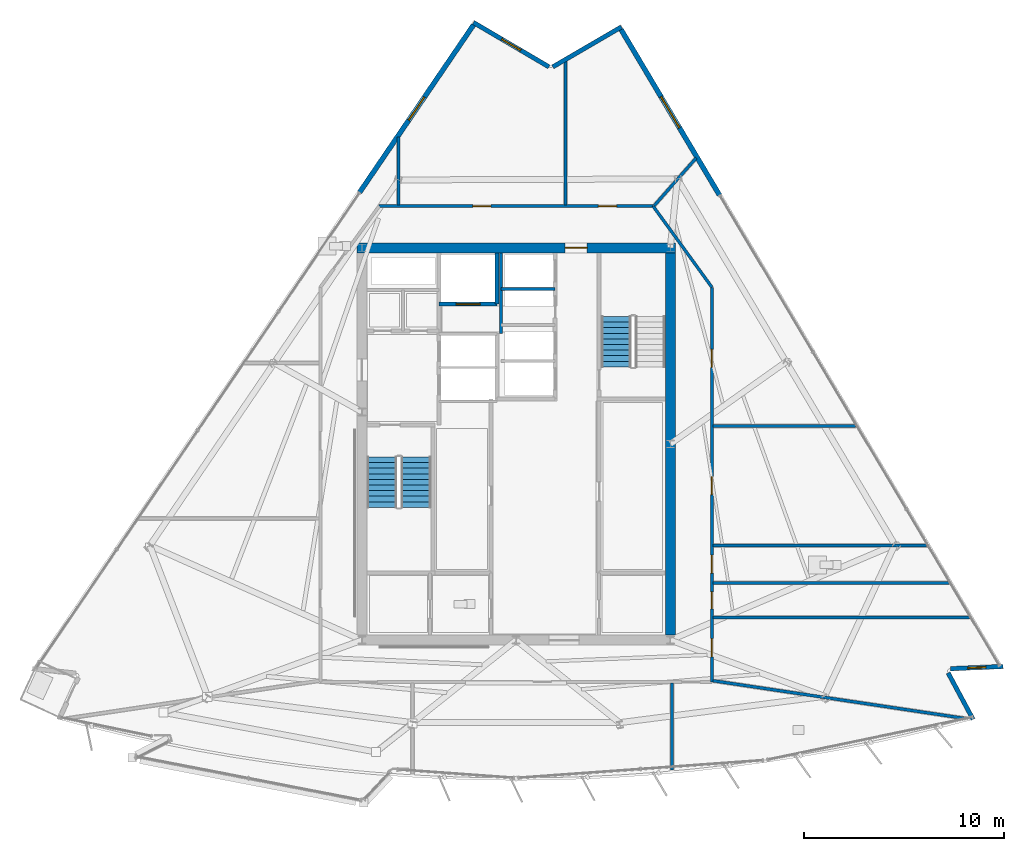
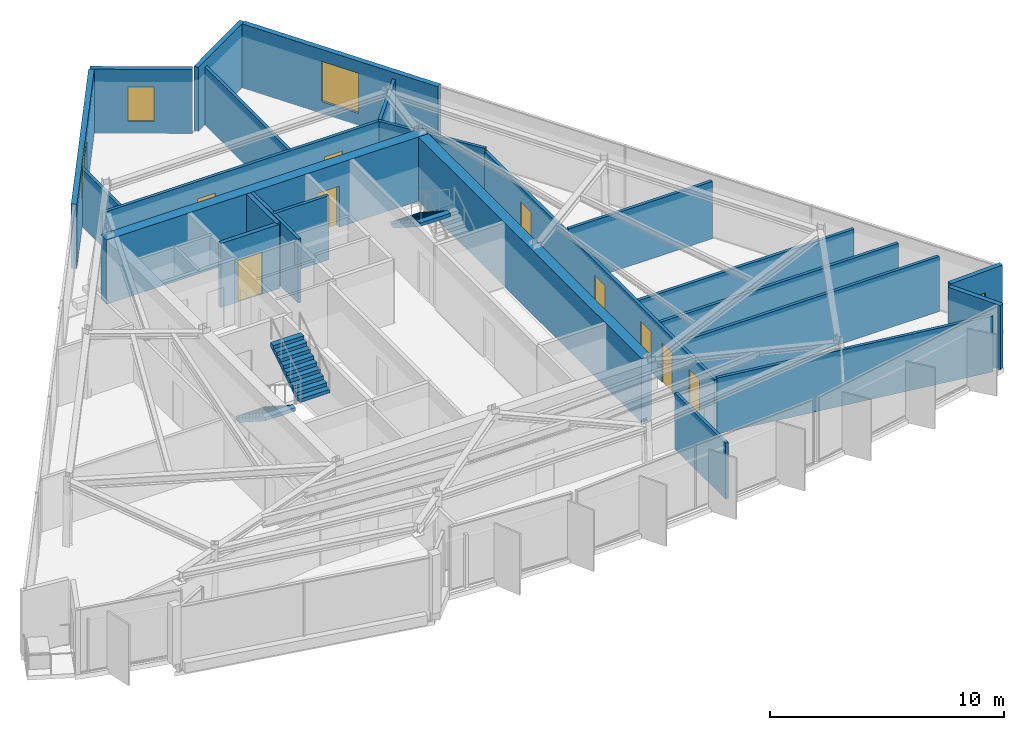
# One storey, part 8 of 13: 24 walls, 9 doors, 4 windows, 3 stair flights, 13 openings, 2 elements without a shape of their own.
"""IFC4 building model written with IfcOpenShell, lengths in metres."""

from ifc_helpers import new_model, si_unit, direction, frame, frame_2d, origin, place, context, subcontext, project, spatial, polyline, rectangle, outline, extrude, material, layer, layer_set, type_object, element, fill, aggregate, save


model = new_model("IFC4")

# Units and contexts
model_context = context("Model", 3, precision=1e-05, world=origin(), true_north=direction((0.0, 1.0)))
body_context = subcontext(model_context, "Body", "Model", "MODEL_VIEW")
ifc_project = project(units=[si_unit("LENGTHUNIT", "METRE"), si_unit("AREAUNIT", "SQUARE_METRE"), si_unit("VOLUMEUNIT", "CUBIC_METRE"), si_unit("PLANEANGLEUNIT", "RADIAN"), si_unit("MASSUNIT", "GRAM", prefix="KILO")], contexts=[model_context])

# Site, building, storey
site_placement = place(None, origin())
site = spatial("IfcSite", under=ifc_project, at=site_placement, CompositionType="ELEMENT")
building_placement = place(site_placement, origin())
building = spatial("IfcBuilding", under=site, at=building_placement, Name="Savorim Split Tower", CompositionType="ELEMENT")
storey_placement = place(building_placement, frame((0.0, 0.0, 272.39990234375)))
storey = spatial("IfcBuildingStorey", under=building, at=storey_placement, Name="L72", CompositionType="ELEMENT", Elevation=272.39990234375)

# Wall, opening, door
ifc_material_1 = material(Name="Concrete C60/75", Category="concrete")
ifc_layer_1 = layer(ifc_material_1, 0.5)
ifc_layer_set_1 = layer_set([ifc_layer_1], Name="WAL-COR-SH500")
wall_type_1 = type_object("IfcWallType", Name="WAL-COR-SH500", PredefinedType="SHEAR", material=ifc_layer_set_1)
wall_1_placement = place(storey_placement, frame((7.949951171875, 10.199951171875, 0.0), z_axis=(0.0, 0.0, 1.0), x_axis=(-1.0, 0.0, 0.0)))
wall_1 = element("IfcWall", 1, at=wall_1_placement, inside=storey, type_object=wall_type_1, Name="L72 Offset Core North Shear Wall", PredefinedType="SHEAR", context=body_context, shape_type="SweptSolid", body=[
    extrude(rectangle(XDim=15.89990234375, YDim=0.5, at=frame_2d((7.949951171875, 0.0))), origin(), (0.0, 0.0, 1.0), 3.35009765625),
])
opening_1_placement = place(wall_1_placement, frame((4.39990234375, 0.0, 0.0)))
opening_1 = element("IfcOpeningElement", 2, at=opening_1_placement, cuts=wall_1, Name="Opening DI-03", PredefinedType="OPENING", context=body_context, shape_type="SweptSolid", body=[
    extrude(rectangle(XDim=1.10009765625, YDim=2.14990234375, at=frame_2d((0.550048828125, 1.074951171875))), frame((0.0, 0.260009765625, 0.0), z_axis=(0.0, -1.0, 0.0), x_axis=(1.0, 0.0, 0.0)), (0.0, 0.0, 1.0), 0.52001953125),
])
ifc_material_2 = material(Name="Timber Fire Door Leaf", Category="wood")
door_type_1 = type_object("IfcDoorType", Name="DOR-FIR-1100", OperationType="NOTDEFINED", PredefinedType="DOOR", material=ifc_material_2)
door_1_placement = place(opening_1_placement, origin())
door_1 = element("IfcDoor", 3, at=door_1_placement, inside=storey, type_object=door_type_1, Name="DOR-L72-COR-NLOB - L72 North Corridor Lobby Fire Door", OperationType="SINGLE_SWING_LEFT", OverallHeight=2.14990234375, OverallWidth=1.10009765625, PredefinedType="DOOR", context=body_context, shape_type="SweptSolid", body=[
    extrude(rectangle(XDim=1.10009765625, YDim=2.14990234375, at=frame_2d((0.550048828125, 1.074951171875))), frame((0.0, 0.02490234375, 0.0), z_axis=(0.0, -1.0, 0.0), x_axis=(1.0, 0.0, 0.0)), (0.0, 0.0, 1.0), 0.050048828125),
])
fill(opening_1, door_1)

# Walls
wall_2_placement = place(storey_placement, frame((7.699951171875, 9.949951171875, 0.0), z_axis=(0.0, 0.0, 1.0), x_axis=(0.0, -1.0, 0.0)))
element("IfcWall", 4, at=wall_2_placement, inside=storey, type_object=wall_type_1, Name="L72 Offset Core East Shear Wall", PredefinedType="SHEAR", context=body_context, shape_type="SweptSolid", body=[
    extrude(rectangle(XDim=19.099853515625, YDim=0.5, at=frame_2d((9.5498046875, 0.0))), origin(), (0.0, 0.0, 1.0), 3.35009765625),
])
ifc_material_3 = material(Name="Precast concrete C40/50", Category="concrete")
ifc_layer_2 = layer(ifc_material_3, 0.219970703125)
ifc_layer_set_2 = layer_set([ifc_layer_2], Name="WAL-EXT-CRN220")
wall_type_2 = type_object("IfcWallType", Name="WAL-EXT-CRN220", PredefinedType="SOLIDWALL", material=ifc_layer_set_2)
wall_3_placement = place(storey_placement, frame((21.58056640625, -11.03955078125, 0.0), z_axis=(0.0, 0.0, 1.0), x_axis=(0.472791303324, -0.881174434208, 0.0)))
element("IfcWall", 5, at=wall_3_placement, inside=storey, type_object=wall_type_2, Name="L72 Notched Corner Facade Wall SE1", PredefinedType="SOLIDWALL", context=body_context, shape_type="SweptSolid", body=[
    extrude(rectangle(XDim=2.626953125, YDim=0.219970703125, at=frame_2d((1.3134765625, 0.0))), origin(), (0.0, 0.0, 1.0), 3.35009765625),
])

# Wall, opening, window
wall_4_placement = place(storey_placement, frame((24.32421875, -10.71435546875, 0.0), z_axis=(0.0, 0.0, 1.0), x_axis=(-0.999095924753, -0.042512740932, 0.0)))
wall_4 = element("IfcWall", 6, at=wall_4_placement, inside=storey, type_object=wall_type_2, Name="L72 Notched Corner Facade Wall SE", PredefinedType="SOLIDWALL", context=body_context, shape_type="SweptSolid", body=[
    extrude(rectangle(XDim=2.62451171875, YDim=0.219970703125, at=frame_2d((1.312255859375, 0.0))), origin(), (0.0, 0.0, 1.0), 3.35009765625),
])
opening_2_placement = place(wall_4_placement, frame((0.8623046875, 0.0, 0.6201171875)))
opening_2 = element("IfcOpeningElement", 7, at=opening_2_placement, cuts=wall_4, Name="Opening WN-10", PredefinedType="OPENING", context=body_context, shape_type="SweptSolid", body=[
    extrude(rectangle(XDim=0.89990234375, YDim=1.60009765625, at=frame_2d((0.449951171875, 0.800048828125))), frame((0.0, 0.119873046875, 0.0), z_axis=(0.0, -1.0, 0.0), x_axis=(1.0, 0.0, 0.0)), (0.0, 0.0, 1.0), 0.239990234375),
])
ifc_material_4 = material(Name="Low-E Operable Double Glazing", Category="glass")
window_type_1 = type_object("IfcWindowType", Name="WIN-TWR-900x1600", PartitioningType="SINGLE_PANEL", PredefinedType="WINDOW", material=ifc_material_4)
window_1_placement = place(opening_2_placement, origin())
window_1 = element("IfcWindow", 8, at=window_1_placement, inside=storey, type_object=window_type_1, Name="L72 Operable Corner Window SE", OverallHeight=1.60009765625, OverallWidth=0.89990234375, PartitioningType="SINGLE_PANEL", PredefinedType="WINDOW", context=body_context, shape_type="SweptSolid", body=[
    extrude(rectangle(XDim=0.89990234375, YDim=1.60009765625, at=frame_2d((0.449951171875, 0.800048828125))), frame((0.0, 0.030029296875, 0.0), z_axis=(0.0, -1.0, 0.0), x_axis=(1.0, 0.0, 0.0)), (0.0, 0.0, 1.0), 0.06005859375),
])
fill(opening_2, window_1)

# Wall
wall_5_placement = place(storey_placement, frame((1.832275390625, 19.233642578125, 0.0), z_axis=(0.0, 0.0, 1.0), x_axis=(0.86397765749, 0.503530145432, 0.0)))
element("IfcWall", 9, at=wall_5_placement, inside=storey, type_object=wall_type_2, Name="L72 Notched Corner Facade Wall NE1", PredefinedType="SOLIDWALL", context=body_context, shape_type="SweptSolid", body=[
    extrude(rectangle(XDim=3.963623046875, YDim=0.219970703125, at=frame_2d((1.98193359375, 0.0))), origin(), (0.0, 0.0, 1.0), 3.35009765625),
])

# Wall, opening, window
wall_6_placement = place(storey_placement, frame((-2.1337890625, 21.453125, 0.0), z_axis=(0.0, 0.0, 1.0), x_axis=(0.862106131527, -0.506727755292, 0.0)))
wall_6 = element("IfcWall", 10, at=wall_6_placement, inside=storey, type_object=wall_type_2, Name="L72 Notched Corner Facade Wall N", PredefinedType="SOLIDWALL", context=body_context, shape_type="SweptSolid", body=[
    extrude(rectangle(XDim=4.379638671875, YDim=0.219970703125, at=frame_2d((2.18994140625, 0.0))), origin(), (0.0, 0.0, 1.0), 3.35009765625),
])
opening_3_placement = place(wall_6_placement, frame((1.639892578125, 0.0, 0.6201171875)))
opening_3 = element("IfcOpeningElement", 11, at=opening_3_placement, cuts=wall_6, Name="Opening WN-09", PredefinedType="OPENING", context=body_context, shape_type="SweptSolid", body=[
    extrude(rectangle(XDim=1.10009765625, YDim=1.800048828125, at=frame_2d((0.550048828125, 0.89990234375))), frame((0.0, 0.119873046875, 0.0), z_axis=(0.0, -1.0, 0.0), x_axis=(1.0, 0.0, 0.0)), (0.0, 0.0, 1.0), 0.239990234375),
])
window_type_2 = type_object("IfcWindowType", Name="WIN-TWR-1100x1800", PartitioningType="SINGLE_PANEL", PredefinedType="WINDOW", material=ifc_material_4)
window_2_placement = place(opening_3_placement, origin())
window_2 = element("IfcWindow", 12, at=window_2_placement, inside=storey, type_object=window_type_2, Name="L72 Operable Corner Window N", OverallHeight=1.800048828125, OverallWidth=1.10009765625, PartitioningType="SINGLE_PANEL", PredefinedType="WINDOW", context=body_context, shape_type="SweptSolid", body=[
    extrude(rectangle(XDim=1.10009765625, YDim=1.800048828125, at=frame_2d((0.550048828125, 0.89990234375))), frame((0.0, 0.030029296875, 0.0), z_axis=(0.0, -1.0, 0.0), x_axis=(1.0, 0.0, 0.0)), (0.0, 0.0, 1.0), 0.06005859375),
])
fill(opening_3, window_2)

ifc_layer_3 = layer(ifc_material_3, 0.25)
ifc_layer_set_3 = layer_set([ifc_layer_3], Name="WAL-EXT-SPN250")
wall_type_3 = type_object("IfcWallType", Name="WAL-EXT-SPN250", PredefinedType="SOLIDWALL", material=ifc_layer_set_3)
wall_7_placement = place(storey_placement, frame((5.240234375, 21.10302734375, 0.0), z_axis=(0.0, 0.0, 1.0), x_axis=(0.511088566076, -0.859528055171, 0.0)))
wall_7 = element("IfcWall", 13, at=wall_7_placement, inside=storey, type_object=wall_type_3, Name="L72 East Operable Window Pier", PredefinedType="SOLIDWALL", context=body_context, shape_type="SweptSolid", body=[
    extrude(rectangle(XDim=9.62158203125, YDim=0.25, at=frame_2d((4.810791015625, 0.0))), origin(), (0.0, 0.0, 1.0), 3.35009765625),
])
opening_4_placement = place(wall_7_placement, frame((3.910888671875, 0.0, 0.6201171875)))
opening_4 = element("IfcOpeningElement", 14, at=opening_4_placement, cuts=wall_7, Name="Opening WN-04", PredefinedType="OPENING", context=body_context, shape_type="SweptSolid", body=[
    extrude(rectangle(XDim=1.800048828125, YDim=2.10009765625, at=frame_2d((0.89990234375, 1.050048828125))), frame((0.0, 0.135009765625, 0.0), z_axis=(0.0, -1.0, 0.0), x_axis=(1.0, 0.0, 0.0)), (0.0, 0.0, 1.0), 0.27001953125),
])
window_type_3 = type_object("IfcWindowType", Name="WIN-TWR-1800x2100", PartitioningType="DOUBLE_PANEL_VERTICAL", PredefinedType="WINDOW", material=ifc_material_4)
window_3_placement = place(opening_4_placement, origin())
window_3 = element("IfcWindow", 15, at=window_3_placement, inside=storey, type_object=window_type_3, Name="L72 East Operable Ventilation Window", OverallHeight=2.10009765625, OverallWidth=1.800048828125, PartitioningType="SINGLE_PANEL", PredefinedType="WINDOW", context=body_context, shape_type="SweptSolid", body=[
    extrude(rectangle(XDim=1.800048828125, YDim=2.10009765625, at=frame_2d((0.89990234375, 1.050048828125))), frame((0.0, 0.030029296875, 0.0), z_axis=(0.0, -1.0, 0.0), x_axis=(1.0, 0.0, 0.0)), (0.0, 0.0, 1.0), 0.06005859375),
])
fill(opening_4, window_3)

wall_8_placement = place(storey_placement, frame((-7.81689453125, 12.970947265625, 0.0), z_axis=(0.0, 0.0, 1.0), x_axis=(0.562474530687, 0.826814611826, 0.0)))
wall_8 = element("IfcWall", 16, at=wall_8_placement, inside=storey, type_object=wall_type_3, Name="L72 West Operable Window Pier", PredefinedType="SOLIDWALL", context=body_context, shape_type="SweptSolid", body=[
    extrude(rectangle(XDim=10.106689453125, YDim=0.25, at=frame_2d((5.05322265625, 0.0))), origin(), (0.0, 0.0, 1.0), 3.35009765625),
])
opening_5_placement = place(wall_8_placement, frame((4.353515625, 0.0, 0.6201171875)))
opening_5 = element("IfcOpeningElement", 17, at=opening_5_placement, cuts=wall_8, Name="Opening WN-07", PredefinedType="OPENING", context=body_context, shape_type="SweptSolid", body=[
    extrude(rectangle(XDim=1.39990234375, YDim=2.0, at=frame_2d((0.699951171875, 1.0))), frame((0.0, 0.135009765625, 0.0), z_axis=(0.0, -1.0, 0.0), x_axis=(1.0, 0.0, 0.0)), (0.0, 0.0, 1.0), 0.27001953125),
])
window_type_4 = type_object("IfcWindowType", Name="WIN-TWR-1400x2000", PartitioningType="SINGLE_PANEL", PredefinedType="WINDOW", material=ifc_material_4)
window_4_placement = place(opening_5_placement, origin())
window_4 = element("IfcWindow", 18, at=window_4_placement, inside=storey, type_object=window_type_4, Name="L72 West Operable Ventilation Window", OverallHeight=2.0, OverallWidth=1.39990234375, PartitioningType="SINGLE_PANEL", PredefinedType="WINDOW", context=body_context, shape_type="SweptSolid", body=[
    extrude(rectangle(XDim=1.39990234375, YDim=2.0, at=frame_2d((0.699951171875, 1.0))), frame((0.0, 0.030029296875, 0.0), z_axis=(0.0, -1.0, 0.0), x_axis=(1.0, 0.0, 0.0)), (0.0, 0.0, 1.0), 0.06005859375),
])
fill(opening_5, window_4)

# Wall, opening, door
ifc_material_5 = material(Name="Concrete C50/60", Category="concrete")
ifc_layer_4 = layer(ifc_material_5, 0.199951171875)
ifc_layer_set_4 = layer_set([ifc_layer_4], Name="WAL-INT-RC200")
wall_type_4 = type_object("IfcWallType", Name="WAL-INT-RC200", PredefinedType="SOLIDWALL", material=ifc_layer_set_4)
wall_9_placement = place(storey_placement, frame((-3.85009765625, 7.3798828125, 0.0), z_axis=(0.0, 0.0, 1.0), x_axis=(1.0, 0.0, 0.0)))
wall_9 = element("IfcWall", 19, at=wall_9_placement, inside=storey, type_object=wall_type_4, Name="L72 Partition W-L72-SVLS", PredefinedType="SOLIDWALL", context=body_context, shape_type="SweptSolid", body=[
    extrude(rectangle(XDim=2.900146484375, YDim=0.199951171875, at=frame_2d((1.4501953125, 0.0))), origin(), (0.0, 0.0, 1.0), 3.35009765625),
])
opening_6_placement = place(wall_9_placement, frame((0.85009765625, 0.0, 0.0)))
opening_6 = element("IfcOpeningElement", 20, at=opening_6_placement, cuts=wall_9, Name="Opening LD-SV", PredefinedType="OPENING", context=body_context, shape_type="SweptSolid", body=[
    extrude(rectangle(XDim=1.199951171875, YDim=2.199951171875, at=frame_2d((0.60009765625, 1.10009765625))), frame((0.0, 0.10986328125, 0.0), z_axis=(0.0, -1.0, 0.0), x_axis=(1.0, 0.0, 0.0)), (0.0, 0.0, 1.0), 0.219970703125),
])
ifc_material_6 = material(Name="Charcoal Anodised Aluminium", Category="aluminium")
door_type_2 = type_object("IfcDoorType", Name="DOR-SLD-SV1200", OperationType="NOTDEFINED", PredefinedType="DOOR", material=ifc_material_6)
door_2_placement = place(opening_6_placement, origin())
door_2 = element("IfcDoor", 21, at=door_2_placement, inside=storey, type_object=door_type_2, Name="DR-L72-LD-SVL1 - L72 Service Lift SVL-1 Sliding Landing Door", OperationType="DOUBLE_DOOR_SLIDING", OverallHeight=2.199951171875, OverallWidth=1.199951171875, PredefinedType="DOOR", context=body_context, shape_type="SweptSolid", body=[
    extrude(rectangle(XDim=1.199951171875, YDim=2.199951171875, at=frame_2d((0.60009765625, 1.10009765625))), frame((0.0, 0.02490234375, 0.0), z_axis=(0.0, -1.0, 0.0), x_axis=(1.0, 0.0, 0.0)), (0.0, 0.0, 1.0), 0.050048828125),
])
fill(opening_6, door_2)

# Walls
wall_10_placement = place(storey_placement, frame((-0.949951171875, 7.3798828125, 0.0), z_axis=(0.0, 0.0, 1.0), x_axis=(0.0, 1.0, 0.0)))
element("IfcWall", 22, at=wall_10_placement, inside=storey, type_object=wall_type_4, Name="L72 Partition W-L72-SVLE", PredefinedType="SOLIDWALL", context=body_context, shape_type="SweptSolid", body=[
    extrude(rectangle(XDim=2.565185546875, YDim=0.199951171875, at=frame_2d((1.28271484375, 0.0))), origin(), (0.0, 0.0, 1.0), 3.35009765625),
])
ifc_material_7 = material(Name="Acoustic Gypsum Partition Board")
ifc_layer_5 = layer(ifc_material_7, 0.14990234375)
ifc_layer_set_5 = layer_set([ifc_layer_5], Name="WAL-PAR-150")
wall_type_5 = type_object("IfcWallType", Name="WAL-PAR-150", PredefinedType="PARTITIONING", material=ifc_layer_set_5)
wall_11_placement = place(storey_placement, frame((-0.75, 5.919921875, 0.0), z_axis=(0.0, 0.0, 1.0), x_axis=(0.0, 1.0, 0.0)))
element("IfcWall", 23, at=wall_11_placement, inside=storey, type_object=wall_type_5, Name="L72 Partition W-L72-B3WEST", PredefinedType="PARTITIONING", context=body_context, shape_type="SweptSolid", body=[
    extrude(rectangle(XDim=4.025146484375, YDim=0.14990234375, at=frame_2d((2.0126953125, 0.0))), origin(), (0.0, 0.0, 1.0), 3.35009765625),
])
wall_12_placement = place(storey_placement, frame((-0.75, 8.14990234375, 0.0), z_axis=(0.0, 0.0, 1.0), x_axis=(1.0, 0.0, 0.0)))
element("IfcWall", 24, at=wall_12_placement, inside=storey, type_object=wall_type_5, Name="L72 Partition W-L72-B3DIV3", PredefinedType="PARTITIONING", context=body_context, shape_type="SweptSolid", body=[
    extrude(rectangle(XDim=2.699951171875, YDim=0.14990234375, at=frame_2d((1.35009765625, 0.0))), origin(), (0.0, 0.0, 1.0), 3.35009765625),
])

# Wall, openings, doors
wall_13_placement = place(storey_placement, frame((-6.8408203125, 12.280029296875, 0.0), z_axis=(0.0, 0.0, 1.0), x_axis=(1.0, 0.0, 0.0)))
wall_13 = element("IfcWall", 25, at=wall_13_placement, inside=storey, type_object=wall_type_5, Name="L72 Partition W-L72-COR-03", PredefinedType="PARTITIONING", context=body_context, shape_type="SweptSolid", body=[
    extrude(rectangle(XDim=13.681640625, YDim=0.14990234375, at=frame_2d((6.8408203125, 0.0))), origin(), (0.0, 0.0, 1.0), 3.01513671875),
])
opening_7_placement = place(wall_13_placement, frame((10.955078125, 0.0, 0.0)))
opening_7 = element("IfcOpeningElement", 26, at=opening_7_placement, cuts=wall_13, Name="Opening DI-06", PredefinedType="OPENING", context=body_context, shape_type="SweptSolid", body=[
    extrude(rectangle(XDim=0.89990234375, YDim=2.10009765625, at=frame_2d((0.449951171875, 1.050048828125))), frame((0.0, 0.0849609375, 0.0), z_axis=(0.0, -1.0, 0.0), x_axis=(1.0, 0.0, 0.0)), (0.0, 0.0, 1.0), 0.169921875),
])
opening_8_placement = place(wall_13_placement, frame((4.681396484375, 0.0, 0.0)))
opening_8 = element("IfcOpeningElement", 27, at=opening_8_placement, cuts=wall_13, Name="Opening DI-06", PredefinedType="OPENING", context=body_context, shape_type="SweptSolid", body=[
    extrude(rectangle(XDim=0.89990234375, YDim=2.10009765625, at=frame_2d((0.449951171875, 1.050048828125))), frame((0.0, 0.0849609375, 0.0), z_axis=(0.0, -1.0, 0.0), x_axis=(1.0, 0.0, 0.0)), (0.0, 0.0, 1.0), 0.169921875),
])
door_type_3 = type_object("IfcDoorType", Name="DOR-FIR-900", OperationType="NOTDEFINED", PredefinedType="DOOR", material=ifc_material_2)
door_3_placement = place(opening_7_placement, origin())
door_3 = element("IfcDoor", 28, at=door_3_placement, inside=storey, type_object=door_type_3, Name="DR-L72-RM11 - L72 Quiet Study Room Entry Door", OperationType="SINGLE_SWING_RIGHT", OverallHeight=2.10009765625, OverallWidth=0.89990234375, PredefinedType="DOOR", context=body_context, shape_type="SweptSolid", body=[
    extrude(rectangle(XDim=0.89990234375, YDim=2.10009765625, at=frame_2d((0.449951171875, 1.050048828125))), frame((0.0, 0.02490234375, 0.0), z_axis=(0.0, -1.0, 0.0), x_axis=(1.0, 0.0, 0.0)), (0.0, 0.0, 1.0), 0.050048828125),
])
fill(opening_7, door_3)
door_4_placement = place(opening_8_placement, origin())
door_4 = element("IfcDoor", 29, at=door_4_placement, inside=storey, type_object=door_type_3, Name="DR-L72-RM12 - L72 Quiet Study Room Entry Door", OperationType="SINGLE_SWING_LEFT", OverallHeight=2.10009765625, OverallWidth=0.89990234375, PredefinedType="DOOR", context=body_context, shape_type="SweptSolid", body=[
    extrude(rectangle(XDim=0.89990234375, YDim=2.10009765625, at=frame_2d((0.449951171875, 1.050048828125))), frame((0.0, 0.02490234375, 0.0), z_axis=(0.0, -1.0, 0.0), x_axis=(1.0, 0.0, 0.0)), (0.0, 0.0, 1.0), 0.050048828125),
])
fill(opening_8, door_4)

# Wall
wall_14_placement = place(storey_placement, frame((6.8408203125, 12.280029296875, 0.0), z_axis=(0.0, 0.0, 1.0), x_axis=(0.586956386413, -0.809618552436, 0.0)))
element("IfcWall", 30, at=wall_14_placement, inside=storey, type_object=wall_type_5, Name="L72 Partition W-L72-COR-04", PredefinedType="PARTITIONING", context=body_context, shape_type="SweptSolid", body=[
    extrude(rectangle(XDim=5.007568359375, YDim=0.14990234375, at=frame_2d((2.50390625, 0.0))), origin(), (0.0, 0.0, 1.0), 3.025146484375),
])

# Wall, openings, doors
wall_15_placement = place(storey_placement, frame((9.780029296875, 8.225830078125, 0.0), z_axis=(0.0, 0.0, 1.0), x_axis=(0.0, -1.0, 0.0)))
wall_15 = element("IfcWall", 31, at=wall_15_placement, inside=storey, type_object=wall_type_5, Name="L72 Partition W-L72-COR-05", PredefinedType="PARTITIONING", context=body_context, shape_type="SweptSolid", body=[
    extrude(rectangle(XDim=19.705810546875, YDim=0.14990234375, at=frame_2d((9.85302734375, 0.0))), origin(), (0.0, 0.0, 1.0), 2.875),
])
opening_9_placement = place(wall_15_placement, frame((17.55517578125, 0.0, 0.0)))
opening_9 = element("IfcOpeningElement", 32, at=opening_9_placement, cuts=wall_15, Name="Opening DI-06", PredefinedType="OPENING", context=body_context, shape_type="SweptSolid", body=[
    extrude(rectangle(XDim=0.89990234375, YDim=2.10009765625, at=frame_2d((0.449951171875, 1.050048828125))), frame((0.0, 0.0849609375, 0.0), z_axis=(0.0, -1.0, 0.0), x_axis=(1.0, 0.0, 0.0)), (0.0, 0.0, 1.0), 0.169921875),
])
opening_10_placement = place(wall_15_placement, frame((15.21240234375, 0.0, 0.0)))
opening_10 = element("IfcOpeningElement", 33, at=opening_10_placement, cuts=wall_15, Name="Opening DI-13", PredefinedType="OPENING", context=body_context, shape_type="SweptSolid", body=[
    extrude(rectangle(XDim=0.85009765625, YDim=2.10009765625, at=frame_2d((0.425048828125, 1.050048828125))), frame((0.0, 0.0849609375, 0.0), z_axis=(0.0, -1.0, 0.0), x_axis=(1.0, 0.0, 0.0)), (0.0, 0.0, 1.0), 0.169921875),
])
opening_11_placement = place(wall_15_placement, frame((13.37841796875, 0.0, 0.0)))
opening_11 = element("IfcOpeningElement", 34, at=opening_11_placement, cuts=wall_15, Name="Opening DI-11", PredefinedType="OPENING", context=body_context, shape_type="SweptSolid", body=[
    extrude(rectangle(XDim=0.89990234375, YDim=2.10009765625, at=frame_2d((0.449951171875, 1.050048828125))), frame((0.0, 0.0849609375, 0.0), z_axis=(0.0, -1.0, 0.0), x_axis=(1.0, 0.0, 0.0)), (0.0, 0.0, 1.0), 0.169921875),
])
opening_12_placement = place(wall_15_placement, frame((9.4609375, 0.0, 0.0)))
opening_12 = element("IfcOpeningElement", 35, at=opening_12_placement, cuts=wall_15, Name="Opening DI-06", PredefinedType="OPENING", context=body_context, shape_type="SweptSolid", body=[
    extrude(rectangle(XDim=0.89990234375, YDim=2.10009765625, at=frame_2d((0.449951171875, 1.050048828125))), frame((0.0, 0.0849609375, 0.0), z_axis=(0.0, -1.0, 0.0), x_axis=(1.0, 0.0, 0.0)), (0.0, 0.0, 1.0), 0.169921875),
])
opening_13_placement = place(wall_15_placement, frame((3.1025390625, 0.0, 0.0)))
opening_13 = element("IfcOpeningElement", 36, at=opening_13_placement, cuts=wall_15, Name="Opening DI-06", PredefinedType="OPENING", context=body_context, shape_type="SweptSolid", body=[
    extrude(rectangle(XDim=0.89990234375, YDim=2.10009765625, at=frame_2d((0.449951171875, 1.050048828125))), frame((0.0, 0.0849609375, 0.0), z_axis=(0.0, -1.0, 0.0), x_axis=(1.0, 0.0, 0.0)), (0.0, 0.0, 1.0), 0.169921875),
])
door_type_4 = type_object("IfcDoorType", Name="DOR-FIR-850", OperationType="NOTDEFINED", PredefinedType="DOOR", material=ifc_material_2)
door_5_placement = place(opening_10_placement, origin())
door_5 = element("IfcDoor", 37, at=door_5_placement, inside=storey, type_object=door_type_4, Name="DR-L72-RM07 - L72 Co-Living Bedroom Entry Door", OperationType="SINGLE_SWING_RIGHT", OverallHeight=2.10009765625, OverallWidth=0.85009765625, PredefinedType="DOOR", context=body_context, shape_type="SweptSolid", body=[
    extrude(rectangle(XDim=0.85009765625, YDim=2.10009765625, at=frame_2d((0.425048828125, 1.050048828125))), frame((0.0, 0.02490234375, 0.0), z_axis=(0.0, -1.0, 0.0), x_axis=(1.0, 0.0, 0.0)), (0.0, 0.0, 1.0), 0.050048828125),
])
fill(opening_10, door_5)
door_6_placement = place(opening_9_placement, origin())
door_6 = element("IfcDoor", 38, at=door_6_placement, inside=storey, type_object=door_type_3, Name="DR-L72-RM06 - L72 Quiet Study Room Entry Door", OperationType="SINGLE_SWING_LEFT", OverallHeight=2.10009765625, OverallWidth=0.89990234375, PredefinedType="DOOR", context=body_context, shape_type="SweptSolid", body=[
    extrude(rectangle(XDim=0.89990234375, YDim=2.10009765625, at=frame_2d((0.449951171875, 1.050048828125))), frame((0.0, 0.02490234375, 0.0), z_axis=(0.0, -1.0, 0.0), x_axis=(1.0, 0.0, 0.0)), (0.0, 0.0, 1.0), 0.050048828125),
])
fill(opening_9, door_6)
door_7_placement = place(opening_12_placement, origin())
door_7 = element("IfcDoor", 39, at=door_7_placement, inside=storey, type_object=door_type_3, Name="DR-L72-RM09 - L72 Quiet Study Room Entry Door", OperationType="SINGLE_SWING_RIGHT", OverallHeight=2.10009765625, OverallWidth=0.89990234375, PredefinedType="DOOR", context=body_context, shape_type="SweptSolid", body=[
    extrude(rectangle(XDim=0.89990234375, YDim=2.10009765625, at=frame_2d((0.449951171875, 1.050048828125))), frame((0.0, 0.02490234375, 0.0), z_axis=(0.0, -1.0, 0.0), x_axis=(1.0, 0.0, 0.0)), (0.0, 0.0, 1.0), 0.050048828125),
])
fill(opening_12, door_7)
door_8_placement = place(opening_13_placement, origin())
door_8 = element("IfcDoor", 40, at=door_8_placement, inside=storey, type_object=door_type_3, Name="DR-L72-RM10 - L72 Quiet Study Room Entry Door", OperationType="SINGLE_SWING_LEFT", OverallHeight=2.10009765625, OverallWidth=0.89990234375, PredefinedType="DOOR", context=body_context, shape_type="SweptSolid", body=[
    extrude(rectangle(XDim=0.89990234375, YDim=2.10009765625, at=frame_2d((0.449951171875, 1.050048828125))), frame((0.0, 0.02490234375, 0.0), z_axis=(0.0, -1.0, 0.0), x_axis=(1.0, 0.0, 0.0)), (0.0, 0.0, 1.0), 0.050048828125),
])
fill(opening_13, door_8)
ifc_material_8 = material(Name="Oak Veneer Acoustic Door")
door_type_5 = type_object("IfcDoorType", Name="DOR-WC-900", OperationType="NOTDEFINED", PredefinedType="DOOR", material=ifc_material_8)
door_9_placement = place(opening_11_placement, origin())
door_9 = element("IfcDoor", 41, at=door_9_placement, inside=storey, type_object=door_type_5, Name="DR-L72-RM08 - L72 Shared Bathroom Entry Door", OperationType="SINGLE_SWING_LEFT", OverallHeight=2.10009765625, OverallWidth=0.89990234375, PredefinedType="DOOR", context=body_context, shape_type="SweptSolid", body=[
    extrude(rectangle(XDim=0.89990234375, YDim=2.10009765625, at=frame_2d((0.449951171875, 1.050048828125))), frame((0.0, 0.02490234375, 0.0), z_axis=(0.0, -1.0, 0.0), x_axis=(1.0, 0.0, 0.0)), (0.0, 0.0, 1.0), 0.050048828125),
])
fill(opening_11, door_9)

# Walls
wall_16_placement = place(storey_placement, frame((9.8369140625, -11.42724609375, 0.0), z_axis=(0.0, 0.0, 1.0), x_axis=(0.988987677607, -0.147997883568, 0.0)))
element("IfcWall", 42, at=wall_16_placement, inside=storey, type_object=wall_type_5, Name="L72 Partition W-L72-PRAD04", PredefinedType="PARTITIONING", context=body_context, shape_type="SweptSolid", body=[
    extrude(rectangle(XDim=12.685546875, YDim=0.14990234375, at=frame_2d((6.3427734375, 0.0))), origin(), (0.0, 0.0, 1.0), 2.925048828125),
])
wall_17_placement = place(storey_placement, frame((9.840087890625, -4.6689453125, 0.0), z_axis=(0.0, 0.0, 1.0), x_axis=(1.0, 0.0, 0.0)))
element("IfcWall", 43, at=wall_17_placement, inside=storey, type_object=wall_type_5, Name="L72 Partition W-L72-PRAD05", PredefinedType="PARTITIONING", context=body_context, shape_type="SweptSolid", body=[
    extrude(rectangle(XDim=10.66650390625, YDim=0.14990234375, at=frame_2d((5.333251953125, 0.0))), origin(), (0.0, 0.0, 1.0), 2.875),
])
wall_18_placement = place(storey_placement, frame((6.895751953125, 12.3017578125, 0.0), z_axis=(0.0, 0.0, 1.0), x_axis=(0.660915229416, 0.750460564937, 0.0)))
element("IfcWall", 44, at=wall_18_placement, inside=storey, type_object=wall_type_5, Name="L72 Partition W-L72-PRAD07", PredefinedType="PARTITIONING", context=body_context, shape_type="SweptSolid", body=[
    extrude(rectangle(XDim=3.178955078125, YDim=0.14990234375, at=frame_2d((1.58935546875, 0.0))), origin(), (0.0, 0.0, 1.0), 3.01513671875),
])
wall_19_placement = place(storey_placement, frame((-5.885009765625, 12.340087890625, 0.0), z_axis=(0.0, 0.0, 1.0), x_axis=(0.0, 1.0, 0.0)))
element("IfcWall", 45, at=wall_19_placement, inside=storey, type_object=wall_type_5, Name="L72 Partition W-L72-PRAD08", PredefinedType="PARTITIONING", context=body_context, shape_type="SweptSolid", body=[
    extrude(rectangle(XDim=3.382080078125, YDim=0.14990234375, at=frame_2d((1.69091796875, 0.0))), origin(), (0.0, 0.0, 1.0), 3.01513671875),
])
wall_20_placement = place(storey_placement, frame((9.840087890625, -8.2568359375, 0.0), z_axis=(0.0, 0.0, 1.0), x_axis=(1.0, 0.0, 0.0)))
element("IfcWall", 46, at=wall_20_placement, inside=storey, type_object=wall_type_5, Name="L72 Partition W-L72-SUB01", PredefinedType="PARTITIONING", context=body_context, shape_type="SweptSolid", body=[
    extrude(rectangle(XDim=12.7998046875, YDim=0.14990234375, at=frame_2d((6.39990234375, 0.0))), origin(), (0.0, 0.0, 1.0), 2.875),
])
wall_21_placement = place(storey_placement, frame((2.46630859375, 12.340087890625, 0.0), z_axis=(0.0, 0.0, 1.0), x_axis=(0.0, 1.0, 0.0)))
element("IfcWall", 47, at=wall_21_placement, inside=storey, type_object=wall_type_5, Name="L72 Partition W-L72-SUB02", PredefinedType="PARTITIONING", context=body_context, shape_type="SweptSolid", body=[
    extrude(rectangle(XDim=7.205322265625, YDim=0.14990234375, at=frame_2d((3.6025390625, 0.0))), origin(), (0.0, 0.0, 1.0), 3.01513671875),
])
wall_22_placement = place(storey_placement, frame((7.782958984375, -11.5400390625, 0.0), z_axis=(0.0, 0.0, 1.0), x_axis=(0.0, -1.0, 0.0)))
element("IfcWall", 48, at=wall_22_placement, inside=storey, type_object=wall_type_5, Name="L72 Partition W-L72-SUB04", PredefinedType="PARTITIONING", context=body_context, shape_type="SweptSolid", body=[
    extrude(rectangle(XDim=4.340576171875, YDim=0.14990234375, at=frame_2d((2.17041015625, 0.0))), origin(), (0.0, 0.0, 1.0), 2.925048828125),
])
wall_23_placement = place(storey_placement, frame((9.840087890625, -6.535888671875, 0.0), z_axis=(0.0, 0.0, 1.0), x_axis=(1.0, 0.0, 0.0)))
element("IfcWall", 49, at=wall_23_placement, inside=storey, type_object=wall_type_5, Name="L72 Partition W-L72-SUB05", PredefinedType="PARTITIONING", context=body_context, shape_type="SweptSolid", body=[
    extrude(rectangle(XDim=11.776611328125, YDim=0.14990234375, at=frame_2d((5.88818359375, 0.0))), origin(), (0.0, 0.0, 1.0), 2.875),
])
wall_24_placement = place(storey_placement, frame((9.840087890625, 1.298828125, 0.0), z_axis=(0.0, 0.0, 1.0), x_axis=(1.0, 0.0, 0.0)))
element("IfcWall", 50, at=wall_24_placement, inside=storey, type_object=wall_type_5, Name="L72 Partition W-L72-SUB06", PredefinedType="PARTITIONING", context=body_context, shape_type="SweptSolid", body=[
    extrude(rectangle(XDim=7.117919921875, YDim=0.14990234375, at=frame_2d((3.55908203125, 0.0))), origin(), (0.0, 0.0, 1.0), 2.9951171875),
])

# Stair, stair flights
stair_type = type_object("IfcStairType", Name="STR-DOG-3600", PredefinedType="HALF_TURN_STAIR", material=ifc_material_5)
stair_1_placement = place(storey_placement, origin())
stair_1 = element("IfcStair", 51, at=stair_1_placement, inside=storey, type_object=stair_type, Name="L72 Core Protected Exit Stair ST-1", PredefinedType="HALF_TURN_STAIR")
stair_flight_type = type_object("IfcStairFlightType", Name="SFL-DOG-3600", PredefinedType="STRAIGHT", material=ifc_material_5)
stair_flight_1_placement = place(storey_placement, frame((-6.699951171875, -0.25, 0.0), z_axis=(0.0, 0.0, 1.0), x_axis=(0.0, -1.0, 0.0)))
stair_flight_1 = element("IfcStairFlight", 52, at=stair_flight_1_placement, type_object=stair_flight_type, Name="ST-1 flight 1", NumberOfRisers=10, NumberOfTreads=9, PredefinedType="STRAIGHT", RiserHeight=0.18, TreadLength=0.28, context=body_context, shape_type="SweptSolid", body=[
    extrude(outline(polyline([(0.0, 0.0), (0.0, 0.179931640625), (0.280029296875, 0.179931640625), (0.280029296875, 0.360107421875), (0.56005859375, 0.360107421875), (0.56005859375, 0.5400390625), (0.840087890625, 0.5400390625), (0.840087890625, 0.719970703125), (1.1201171875, 0.719970703125), (1.1201171875, 0.89990234375), (1.39990234375, 0.89990234375), (1.39990234375, 1.080078125), (1.679931640625, 1.080078125), (1.679931640625, 1.260009765625), (1.9599609375, 1.260009765625), (1.9599609375, 1.43994140625), (2.239990234375, 1.43994140625), (2.239990234375, 1.6201171875), (2.52001953125, 1.6201171875), (2.52001953125, 1.800048828125), (2.52001953125, 1.44189453125), (0.277099609375, 0.0), (0.0, 0.0)])), frame((0.0, 0.75, 0.0), z_axis=(0.0, -1.0, 0.0), x_axis=(1.0, 0.0, 0.0)), (0.0, 0.0, 1.0), 1.5),
])
stair_flight_2_placement = place(storey_placement, frame((-5.0, -2.77001953125, 1.800048828125), z_axis=(0.0, 0.0, 1.0), x_axis=(0.0, 1.0, 0.0)))
stair_flight_2 = element("IfcStairFlight", 53, at=stair_flight_2_placement, type_object=stair_flight_type, Name="ST-1 flight 2", NumberOfRisers=10, NumberOfTreads=9, PredefinedType="STRAIGHT", RiserHeight=0.18, TreadLength=0.28, context=body_context, shape_type="SweptSolid", body=[
    extrude(outline(polyline([(0.0, 0.0), (0.0, 0.179931640625), (0.280029296875, 0.179931640625), (0.280029296875, 0.360107421875), (0.56005859375, 0.360107421875), (0.56005859375, 0.5400390625), (0.840087890625, 0.5400390625), (0.840087890625, 0.719970703125), (1.1201171875, 0.719970703125), (1.1201171875, 0.89990234375), (1.39990234375, 0.89990234375), (1.39990234375, 1.080078125), (1.679931640625, 1.080078125), (1.679931640625, 1.260009765625), (1.9599609375, 1.260009765625), (1.9599609375, 1.43994140625), (2.239990234375, 1.43994140625), (2.239990234375, 1.6201171875), (2.52001953125, 1.6201171875), (2.52001953125, 1.800048828125), (2.52001953125, 1.44189453125), (0.277099609375, 0.0), (0.0, 0.0)])), frame((0.0, 0.75, 0.0), z_axis=(0.0, -1.0, 0.0), x_axis=(1.0, 0.0, 0.0)), (0.0, 0.0, 1.0), 1.5),
])
aggregate(stair_1, [stair_flight_1, stair_flight_2])

# Stair, stair flight
stair_2_placement = place(storey_placement, origin())
stair_2 = element("IfcStair", 54, at=stair_2_placement, inside=storey, type_object=stair_type, Name="L72 Core Protected Exit Stair ST-2", PredefinedType="HALF_TURN_STAIR")
stair_flight_3_placement = place(storey_placement, frame((5.0, 6.77001953125, 1.800048828125), z_axis=(0.0, 0.0, 1.0), x_axis=(0.0, -1.0, 0.0)))
stair_flight_3 = element("IfcStairFlight", 55, at=stair_flight_3_placement, type_object=stair_flight_type, Name="ST-2 flight 2", NumberOfRisers=10, NumberOfTreads=9, PredefinedType="STRAIGHT", RiserHeight=0.18, TreadLength=0.28, context=body_context, shape_type="SweptSolid", body=[
    extrude(outline(polyline([(0.0, 0.0), (0.0, 0.179931640625), (0.280029296875, 0.179931640625), (0.280029296875, 0.360107421875), (0.56005859375, 0.360107421875), (0.56005859375, 0.5400390625), (0.840087890625, 0.5400390625), (0.840087890625, 0.719970703125), (1.1201171875, 0.719970703125), (1.1201171875, 0.89990234375), (1.39990234375, 0.89990234375), (1.39990234375, 1.080078125), (1.679931640625, 1.080078125), (1.679931640625, 1.260009765625), (1.9599609375, 1.260009765625), (1.9599609375, 1.43994140625), (2.239990234375, 1.43994140625), (2.239990234375, 1.6201171875), (2.52001953125, 1.6201171875), (2.52001953125, 1.800048828125), (2.52001953125, 1.44189453125), (0.277099609375, 0.0), (0.0, 0.0)])), frame((0.0, 0.75, 0.0), z_axis=(0.0, -1.0, 0.0), x_axis=(1.0, 0.0, 0.0)), (0.0, 0.0, 1.0), 1.5),
])
aggregate(stair_2, [stair_flight_3])

save(model, "model.ifc")
